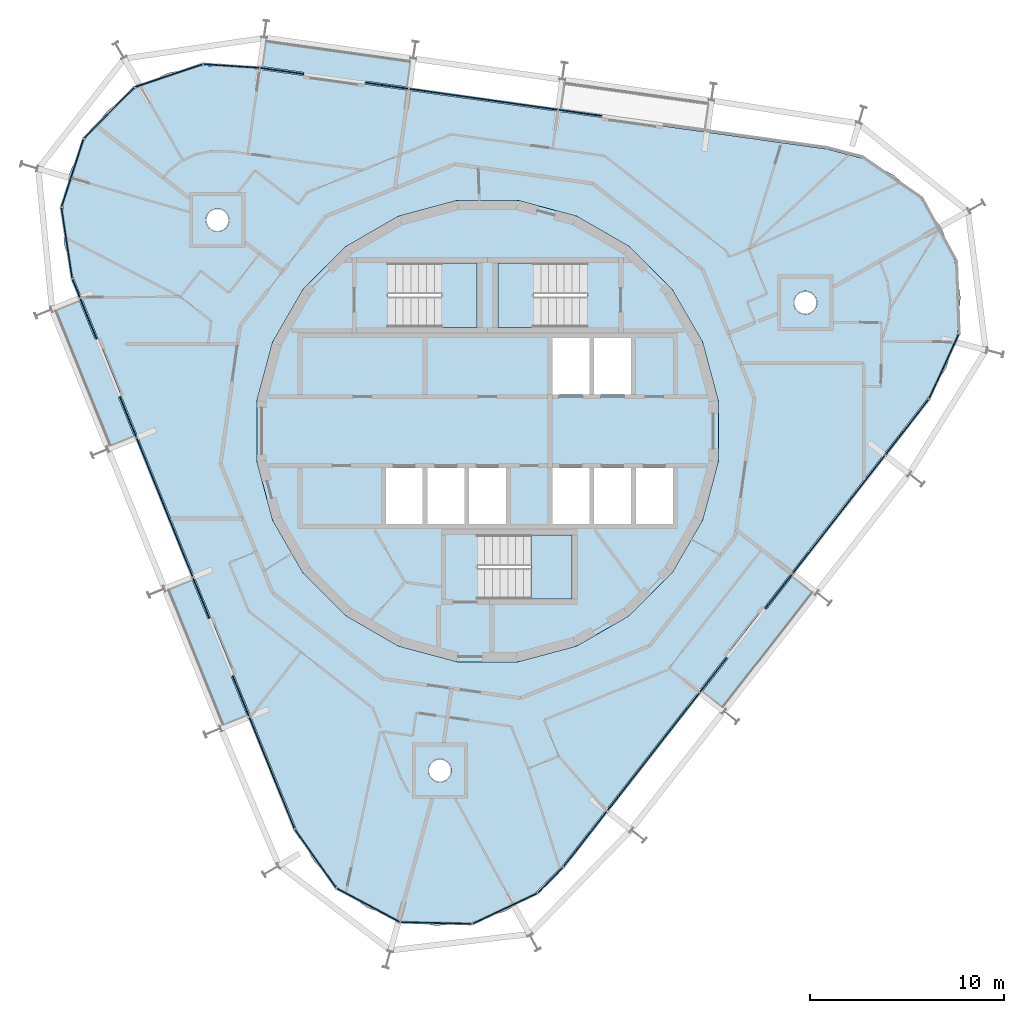
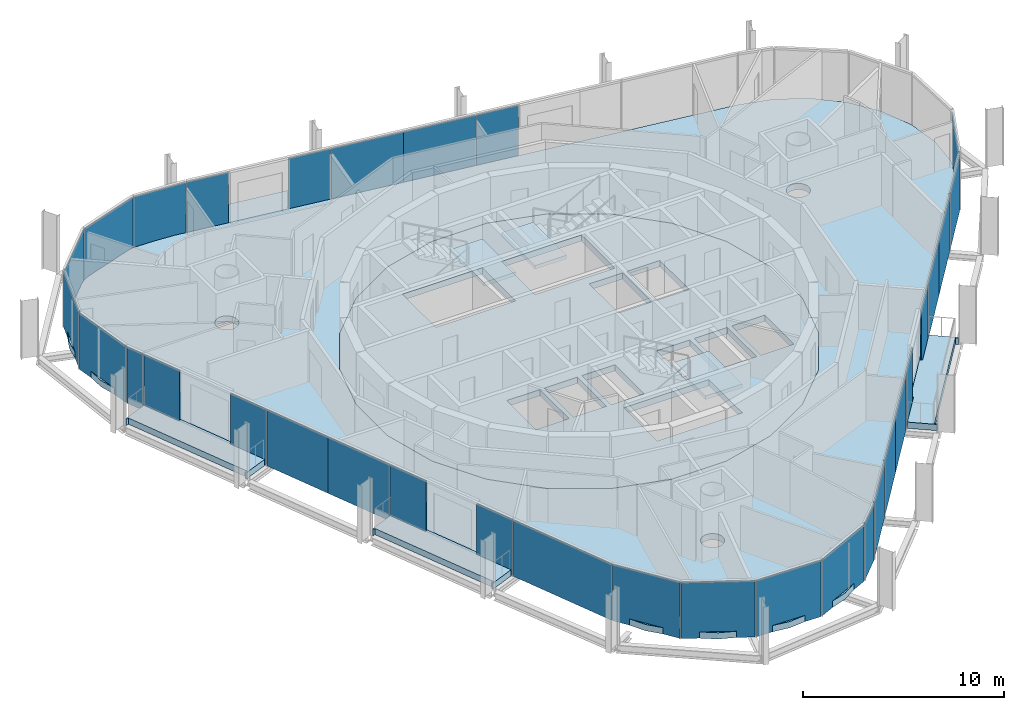
# One storey, part 8 of 15: 32 plates, 9 slabs, 9 elements without a shape of their own.
"""IFC4 building model written with IfcOpenShell, lengths in metres."""

from ifc_helpers import new_model, si_unit, direction, frame, origin, origin_2d, place, context, subcontext, project, spatial, polyline, rectangle, outline, extrude, material, layer, layer_set, type_object, element, aggregate, save


model = new_model("IFC4")

# Units and contexts
model_context = context("Model", 3, precision=1e-05, world=origin(), true_north=direction((0.0, 1.0)))
body_context = subcontext(model_context, "Body", "Model", "MODEL_VIEW")
ifc_project = project(units=[si_unit("LENGTHUNIT", "METRE"), si_unit("AREAUNIT", "SQUARE_METRE"), si_unit("VOLUMEUNIT", "CUBIC_METRE"), si_unit("PLANEANGLEUNIT", "RADIAN"), si_unit("MASSUNIT", "GRAM", prefix="KILO")], contexts=[model_context])

# Site, building, storey
site_placement = place(None, origin())
site = spatial("IfcSite", under=ifc_project, at=site_placement, CompositionType="ELEMENT")
building_placement = place(site_placement, origin())
building = spatial("IfcBuilding", under=site, at=building_placement, Name="Spindle Arch Residences", CompositionType="ELEMENT")
storey_placement = place(building_placement, frame((0.0, 0.0, 336.5)))
storey = spatial("IfcBuildingStorey", under=building, at=storey_placement, Name="L86", CompositionType="ELEMENT", Elevation=336.5)

# Slabs
ifc_material_1 = material(Name="Concrete C40/50", Category="concrete")
ifc_layer_1 = layer(ifc_material_1, 0.3798828125)
ifc_layer_set_1 = layer_set([ifc_layer_1], Name="Balcony slab 380")
slab_type_1 = type_object("IfcSlabType", Name="Balcony slab 380", PredefinedType="FLOOR", material=ifc_layer_set_1)
slab_1_placement = place(storey_placement, frame((0.0, 0.0, -0.3798828125)))
element("IfcSlab", 1, at=slab_1_placement, inside=storey, type_object=slab_type_1, Name="Balcony L86 bay 8", PredefinedType="FLOOR", context=body_context, shape_type="SweptSolid", body=[
    extrude(outline(polyline([(-3.909423828125, 19.219482421875), (-3.98388671875, 19.22998046875), (-4.004638671875, 19.08154296875), (-11.397705078125, 20.120361328125), (-11.376708984375, 20.26904296875), (-11.450927734375, 20.279541015625), (-11.658447265625, 18.803955078125), (-9.47216796875, 18.49658203125), (-9.494384765625, 18.338134765625), (-6.325439453125, 17.892822265625), (-6.30322265625, 18.05126953125), (-4.116943359375, 17.744140625), (-3.909423828125, 19.219482421875)])), origin(), (0.0, 0.0, 1.0), 0.3798828125),
])
slab_2_placement = place(storey_placement, frame((0.0, 0.0, -0.3798828125)))
element("IfcSlab", 2, at=slab_2_placement, inside=storey, type_object=slab_type_1, Name="Balcony L86 bay 12", PredefinedType="FLOOR", context=body_context, shape_type="SweptSolid", body=[
    extrude(outline(polyline([(-22.447265625, 6.204833984375), (-22.419189453125, 6.13525390625), (-22.280029296875, 6.19140625), (-19.4833984375, -0.73046875), (-19.62255859375, -0.78662109375), (-19.594482421875, -0.856201171875), (-18.212890625, -0.298095703125), (-19.0400390625, 1.7490234375), (-18.8916015625, 1.808837890625), (-20.09033203125, 4.77587890625), (-20.23876953125, 4.716064453125), (-21.06591796875, 6.762939453125), (-22.447265625, 6.204833984375)])), origin(), (0.0, 0.0, 1.0), 0.3798828125),
])
slab_3_placement = place(storey_placement, frame((0.0, 0.0, -0.3798828125)))
element("IfcSlab", 3, at=slab_3_placement, inside=storey, type_object=slab_type_1, Name="Balcony L86 bay 14", PredefinedType="FLOOR", context=body_context, shape_type="SweptSolid", body=[
    extrude(outline(polyline([(-16.629150390625, -8.195556640625), (-16.60107421875, -8.264892578125), (-16.462158203125, -8.208740234375), (-13.665283203125, -15.130859375), (-13.804443359375, -15.18701171875), (-13.7763671875, -15.256591796875), (-12.394775390625, -14.6982421875), (-13.221923828125, -12.6513671875), (-13.073486328125, -12.59130859375), (-14.272216796875, -9.624267578125), (-14.420654296875, -9.684326171875), (-15.247802734375, -7.63720703125), (-16.629150390625, -8.195556640625)])), origin(), (0.0, 0.0, 1.0), 0.3798828125),
])
slab_4_placement = place(storey_placement, frame((0.0, 0.0, -0.3798828125)))
element("IfcSlab", 4, at=slab_4_placement, inside=storey, type_object=slab_type_1, Name="Balcony L86 bay 20", PredefinedType="FLOOR", context=body_context, shape_type="SweptSolid", body=[
    extrude(outline(polyline([(12.224853515625, -14.38330078125), (12.27099609375, -14.323974609375), (12.15283203125, -14.231689453125), (16.7490234375, -8.348876953125), (16.8671875, -8.441162109375), (16.913330078125, -8.382080078125), (15.7392578125, -7.464599609375), (14.3798828125, -9.204345703125), (14.25390625, -9.10595703125), (12.28369140625, -11.627685546875), (12.409912109375, -11.72607421875), (11.050537109375, -13.4658203125), (12.224853515625, -14.38330078125)])), origin(), (0.0, 0.0, 1.0), 0.3798828125),
])
ifc_material_2 = material(Name="Concrete C50/60", Category="concrete")
ifc_layer_2 = layer(ifc_material_2, 0.3798828125)
ifc_layer_set_2 = layer_set([ifc_layer_2], Name="Core floor slab 380")
slab_type_2 = type_object("IfcSlabType", Name="Core floor slab 380", PredefinedType="FLOOR", material=ifc_layer_set_2)
slab_5_placement = place(storey_placement, frame((0.0, 0.0, -0.3798828125)))
element("IfcSlab", 5, at=slab_5_placement, inside=storey, type_object=slab_type_2, Name="Core floor L86", PredefinedType="FLOOR", context=body_context, shape_type="SweptSolid", body=[
    extrude(outline(polyline([(1.56640625, -11.897216796875), (4.59228515625, -11.086669921875), (7.30517578125, -9.520263671875), (9.520263671875, -7.30517578125), (11.086669921875, -4.59228515625), (11.897216796875, -1.56640625), (11.897216796875, 1.56640625), (11.086669921875, 4.59228515625), (9.520263671875, 7.30517578125), (7.30517578125, 9.520263671875), (4.59228515625, 11.086669921875), (1.56640625, 11.897216796875), (-1.56640625, 11.897216796875), (-4.59228515625, 11.086669921875), (-7.30517578125, 9.520263671875), (-9.520263671875, 7.30517578125), (-11.086669921875, 4.59228515625), (-11.897216796875, 1.56640625), (-11.897216796875, -1.56640625), (-11.086669921875, -4.59228515625), (-9.520263671875, -7.30517578125), (-7.30517578125, -9.520263671875), (-4.59228515625, -11.086669921875), (-1.56640625, -11.897216796875), (1.56640625, -11.897216796875)]), holes=[polyline([(3.35009765625, 1.89990234375), (5.25, 1.89990234375), (5.25, 4.800048828125), (3.35009765625, 4.800048828125), (3.35009765625, 1.89990234375)]), polyline([(5.5, 1.89990234375), (7.39990234375, 1.89990234375), (7.39990234375, 4.800048828125), (5.5, 4.800048828125), (5.5, 1.89990234375)]), polyline([(-5.25, -4.800048828125), (-3.35009765625, -4.800048828125), (-3.35009765625, -1.89990234375), (-5.25, -1.89990234375), (-5.25, -4.800048828125)]), polyline([(-3.10009765625, -4.800048828125), (-1.199951171875, -4.800048828125), (-1.199951171875, -1.89990234375), (-3.10009765625, -1.89990234375), (-3.10009765625, -4.800048828125)]), polyline([(-0.949951171875, -4.800048828125), (0.949951171875, -4.800048828125), (0.949951171875, -1.89990234375), (-0.949951171875, -1.89990234375), (-0.949951171875, -4.800048828125)]), polyline([(3.35009765625, -4.800048828125), (5.25, -4.800048828125), (5.25, -1.89990234375), (3.35009765625, -1.89990234375), (3.35009765625, -4.800048828125)]), polyline([(5.5, -4.800048828125), (7.39990234375, -4.800048828125), (7.39990234375, -1.89990234375), (5.5, -1.89990234375), (5.5, -4.800048828125)]), polyline([(7.64990234375, -4.800048828125), (9.550048828125, -4.800048828125), (9.550048828125, -1.89990234375), (7.64990234375, -1.89990234375), (7.64990234375, -4.800048828125)]), polyline([(5.1298828125, 8.669921875), (0.550048828125, 8.669921875), (0.550048828125, 5.35009765625), (5.1298828125, 5.35009765625), (5.1298828125, 8.669921875)]), polyline([(-5.1298828125, 5.35009765625), (-0.550048828125, 5.35009765625), (-0.550048828125, 8.669921875), (-5.1298828125, 8.669921875), (-5.1298828125, 5.35009765625)]), polyline([(-0.530029296875, -8.669921875), (4.35009765625, -8.669921875), (4.35009765625, -5.35009765625), (-0.530029296875, -5.35009765625), (-0.530029296875, -8.669921875)])]), origin(), (0.0, 0.0, 1.0), 0.3798828125),
])

# Stair, slab
ifc_material_3 = material(Name="Concrete C50/60", Category="concrete")
stair_type = type_object("IfcStairType", Name="Exit stair 16 risers", PredefinedType="HALF_TURN_STAIR", material=ifc_material_3)
stair_1_placement = place(storey_placement, origin())
stair_1 = element("IfcStair", 6, at=stair_1_placement, inside=storey, type_object=stair_type, Name="L86 Exit stair ST1", PredefinedType="HALF_TURN_STAIR")
ifc_material_4 = material(Name="Concrete C50/60", Category="concrete")
ifc_layer_3 = layer(ifc_material_4, 0.219970703125)
ifc_layer_set_3 = layer_set([ifc_layer_3], Name="Exit stair landing 220")
slab_type_3 = type_object("IfcSlabType", Name="Exit stair landing 220", PredefinedType="LANDING", material=ifc_layer_set_3)
slab_6_placement = place(storey_placement, frame((0.0, 0.0, 1.530029296875)))
slab_6 = element("IfcSlab", 7, at=slab_6_placement, type_object=slab_type_3, Name="ST1 landing 1", PredefinedType="LANDING", context=body_context, shape_type="SweptSolid", body=[
    extrude(outline(polyline([(2.3701171875, 8.669921875), (0.550048828125, 8.669921875), (0.550048828125, 5.35009765625), (2.3701171875, 5.35009765625), (2.3701171875, 8.669921875)])), origin(), (0.0, 0.0, 1.0), 0.219970703125),
])
aggregate(stair_1, [slab_6])

stair_2_placement = place(storey_placement, origin())
stair_2 = element("IfcStair", 8, at=stair_2_placement, inside=storey, type_object=stair_type, Name="L86 Exit stair ST2", PredefinedType="HALF_TURN_STAIR")
slab_7_placement = place(storey_placement, frame((0.0, 0.0, 1.530029296875)))
slab_7 = element("IfcSlab", 9, at=slab_7_placement, type_object=slab_type_3, Name="ST2 landing 1", PredefinedType="LANDING", context=body_context, shape_type="SweptSolid", body=[
    extrude(outline(polyline([(-2.3701171875, 5.35009765625), (-0.550048828125, 5.35009765625), (-0.550048828125, 8.669921875), (-2.3701171875, 8.669921875), (-2.3701171875, 5.35009765625)])), origin(), (0.0, 0.0, 1.0), 0.219970703125),
])
aggregate(stair_2, [slab_7])

stair_3_placement = place(storey_placement, origin())
stair_3 = element("IfcStair", 10, at=stair_3_placement, inside=storey, type_object=stair_type, Name="L86 Exit stair ST3", PredefinedType="HALF_TURN_STAIR")
slab_8_placement = place(storey_placement, frame((0.0, 0.0, 1.530029296875)))
slab_8 = element("IfcSlab", 11, at=slab_8_placement, type_object=slab_type_3, Name="ST3 landing 1", PredefinedType="LANDING", context=body_context, shape_type="SweptSolid", body=[
    extrude(outline(polyline([(2.22998046875, -8.669921875), (4.35009765625, -8.669921875), (4.35009765625, -5.35009765625), (2.22998046875, -5.35009765625), (2.22998046875, -8.669921875)])), origin(), (0.0, 0.0, 1.0), 0.219970703125),
])
aggregate(stair_3, [slab_8])

# Slab
ifc_material_5 = material(Name="Concrete C40/50", Category="concrete")
ifc_layer_4 = layer(ifc_material_5, 0.3798828125)
ifc_layer_set_4 = layer_set([ifc_layer_4], Name="Floor slab 380")
slab_type_4 = type_object("IfcSlabType", Name="Floor slab 380", PredefinedType="FLOOR", material=ifc_layer_set_4)
slab_9_placement = place(storey_placement, frame((0.0, 0.0, -0.3798828125)))
element("IfcSlab", 12, at=slab_9_placement, inside=storey, type_object=slab_type_4, Name="Floor slab L86", PredefinedType="FLOOR", context=body_context, shape_type="SweptSolid", body=[
    extrude(outline(polyline([(2.5380859375, -23.751220703125), (0.962890625, -24.735595703125), (-0.796875, -25.330078125), (-2.646240234375, -25.502685546875), (-4.485595703125, -25.244140625), (-6.2158203125, -24.568359375), (-7.74365234375, -23.511962890625), (-8.986572265625, -22.131591796875), (-9.877685546875, -20.501708984375), (-21.346923828125, 7.885986328125), (-21.838134765625, 9.677490234375), (-21.903076171875, 11.53369140625), (-21.5380859375, 13.35498046875), (-20.7626953125, 15.043212890625), (-19.619140625, 16.5068359375), (-18.1689453125, 17.667236328125), (-16.489990234375, 18.462158203125), (-14.673095703125, 18.848388671875), (-12.816162109375, 18.80517578125), (17.503173828125, 14.5439453125), (19.300048828125, 14.07373046875), (20.940185546875, 13.20166015625), (22.334716796875, 11.974853515625), (23.4091796875, 10.459716796875), (24.10498046875, 8.7373046875), (24.384765625, 6.901123046875), (24.233642578125, 5.0498046875), (23.65966796875, 3.283203125), (22.69384765625, 1.696533203125), (13.268798828125, -10.36669921875), (3.843994140625, -22.43017578125), (2.5380859375, -23.751220703125)]), holes=[polyline([(7.30517578125, -9.520263671875), (9.520263671875, -7.30517578125), (11.086669921875, -4.59228515625), (11.897216796875, -1.56640625), (11.897216796875, 1.56640625), (11.086669921875, 4.59228515625), (9.520263671875, 7.30517578125), (7.30517578125, 9.520263671875), (4.59228515625, 11.086669921875), (1.56640625, 11.897216796875), (-1.56640625, 11.897216796875), (-4.59228515625, 11.086669921875), (-7.30517578125, 9.520263671875), (-9.520263671875, 7.30517578125), (-11.086669921875, 4.59228515625), (-11.897216796875, 1.56640625), (-11.897216796875, -1.56640625), (-11.086669921875, -4.59228515625), (-9.520263671875, -7.30517578125), (-7.30517578125, -9.520263671875), (-4.59228515625, -11.086669921875), (-1.56640625, -11.897216796875), (1.56640625, -11.897216796875), (4.59228515625, -11.086669921875), (7.30517578125, -9.520263671875)]), polyline([(-1.961181640625, -17.838134765625), (-1.90576171875, -17.734375), (-1.87158203125, -17.621826171875), (-1.860107421875, -17.5048828125), (-1.87158203125, -17.3876953125), (-1.90576171875, -17.275146484375), (-1.961181640625, -17.17138671875), (-2.035888671875, -17.08056640625), (-2.126708984375, -17.005859375), (-2.23046875, -16.950439453125), (-2.343017578125, -16.916259765625), (-2.460205078125, -16.90478515625), (-2.5771484375, -16.916259765625), (-2.689697265625, -16.950439453125), (-2.79345703125, -17.005859375), (-2.884521484375, -17.08056640625), (-2.958984375, -17.17138671875), (-3.014404296875, -17.275146484375), (-3.048583984375, -17.3876953125), (-3.06005859375, -17.5048828125), (-3.048583984375, -17.621826171875), (-3.014404296875, -17.734375), (-2.958984375, -17.838134765625), (-2.884521484375, -17.92919921875), (-2.79345703125, -18.003662109375), (-2.689697265625, -18.05908203125), (-2.5771484375, -18.09326171875), (-2.460205078125, -18.104736328125), (-2.343017578125, -18.09326171875), (-2.23046875, -18.05908203125), (-2.126708984375, -18.003662109375), (-2.035888671875, -17.92919921875), (-1.961181640625, -17.838134765625)]), polyline([(-13.505126953125, 10.458740234375), (-13.4306640625, 10.5498046875), (-13.375244140625, 10.6533203125), (-13.341064453125, 10.765869140625), (-13.32958984375, 10.883056640625), (-13.341064453125, 11.0), (-13.375244140625, 11.112548828125), (-13.4306640625, 11.21630859375), (-13.505126953125, 11.307373046875), (-13.59619140625, 11.3818359375), (-13.699951171875, 11.437255859375), (-13.8125, 11.471435546875), (-13.929443359375, 11.48291015625), (-14.046630859375, 11.471435546875), (-14.1591796875, 11.437255859375), (-14.2626953125, 11.3818359375), (-14.353759765625, 11.307373046875), (-14.428466796875, 11.21630859375), (-14.48388671875, 11.112548828125), (-14.51806640625, 11.0), (-14.529541015625, 10.883056640625), (-14.51806640625, 10.765869140625), (-14.48388671875, 10.6533203125), (-14.428466796875, 10.5498046875), (-14.353759765625, 10.458740234375), (-14.2626953125, 10.384033203125), (-14.1591796875, 10.32861328125), (-14.046630859375, 10.29443359375), (-13.929443359375, 10.282958984375), (-13.8125, 10.29443359375), (-13.699951171875, 10.32861328125), (-13.59619140625, 10.384033203125), (-13.505126953125, 10.458740234375)]), polyline([(16.81396484375, 6.197509765625), (16.888671875, 6.28857421875), (16.944091796875, 6.392333984375), (16.978271484375, 6.5048828125), (16.98974609375, 6.621826171875), (16.978271484375, 6.739013671875), (16.944091796875, 6.8515625), (16.888671875, 6.955078125), (16.81396484375, 7.046142578125), (16.722900390625, 7.120849609375), (16.619384765625, 7.17626953125), (16.5068359375, 7.21044921875), (16.3896484375, 7.221923828125), (16.272705078125, 7.21044921875), (16.16015625, 7.17626953125), (16.056396484375, 7.120849609375), (15.96533203125, 7.046142578125), (15.890869140625, 6.955078125), (15.83544921875, 6.8515625), (15.80126953125, 6.739013671875), (15.789794921875, 6.621826171875), (15.80126953125, 6.5048828125), (15.83544921875, 6.392333984375), (15.890869140625, 6.28857421875), (15.96533203125, 6.197509765625), (16.056396484375, 6.123046875), (16.16015625, 6.067626953125), (16.272705078125, 6.033447265625), (16.3896484375, 6.02197265625), (16.5068359375, 6.033447265625), (16.619384765625, 6.067626953125), (16.722900390625, 6.123046875), (16.81396484375, 6.197509765625)])]), origin(), (0.0, 0.0, 1.0), 0.3798828125),
])

# Curtain wall, plates
ifc_material_6 = material(Name="Aluminium bronze unitised frame with tinted glass", Category="aluminium")
ifc_layer_5 = layer(ifc_material_6, 0.159912109375)
ifc_layer_set_5 = layer_set([ifc_layer_5], Name="CW-D corner wall on the fillet arcs")
curtain_wall_type_1 = type_object("IfcCurtainWallType", Name="CW-D corner wall on the fillet arcs", PredefinedType="NOTDEFINED", material=ifc_layer_set_5)
curtain_wall_1_placement = place(storey_placement, origin())
curtain_wall_1 = element("IfcCurtainWall", 13, at=curtain_wall_1_placement, inside=storey, type_object=curtain_wall_type_1, Name="CW-D L86 run 1", PredefinedType="NOTDEFINED")
ifc_material_7 = material(Name="Tinted double glazing over aluminium faced non-combustible spandrel zone (K0)", Category="aluminium")
ifc_layer_6 = layer(ifc_material_7, 0.06005859375)
ifc_layer_set_6 = layer_set([ifc_layer_6], Name="Unitised glass panel with E 60 spandrel zone")
plate_type = type_object("IfcPlateType", Name="Unitised glass panel with E 60 spandrel zone", PredefinedType="CURTAIN_PANEL", material=ifc_layer_set_6)
plate_1_placement = place(storey_placement, frame((21.630126953125, 0.205078125, -0.3798828125), z_axis=(0.0, 0.0, 1.0), x_axis=(0.615661475326, 0.788010753607, 0.0)))
plate_1 = element("IfcPlate", 14, at=plate_1_placement, type_object=plate_type, Name="CW-D unit 00", PredefinedType="CURTAIN_PANEL", context=body_context, shape_type="SweptSolid", body=[
    extrude(rectangle(XDim=3.60009765625, YDim=0.06005859375, at=origin_2d()), origin(), (0.0, 0.0, 1.0), 3.3798828125),
])
plate_2_placement = place(storey_placement, frame((23.534423828125, 3.340576171875, -0.3798828125), z_axis=(0.0, 0.0, 1.0), x_axis=(0.417338452362, 0.908751129947, 0.0)))
plate_2 = element("IfcPlate", 15, at=plate_2_placement, type_object=plate_type, Name="CW-D unit 01", PredefinedType="CURTAIN_PANEL", context=body_context, shape_type="SweptSolid", body=[
    extrude(rectangle(XDim=3.666748046875, YDim=0.06005859375, at=origin_2d()), origin(), (0.0, 0.0, 1.0), 3.3798828125),
])
aggregate(curtain_wall_1, [plate_1, plate_2])

ifc_material_8 = material(Name="Aluminium bronze unitised frame with tinted glass", Category="aluminium")
ifc_layer_7 = layer(ifc_material_8, 0.159912109375)
ifc_layer_set_7 = layer_set([ifc_layer_7], Name="CW-C typical residential unitised wall")
curtain_wall_type_2 = type_object("IfcCurtainWallType", Name="CW-C typical residential unitised wall", PredefinedType="NOTDEFINED", material=ifc_layer_set_7)
curtain_wall_2_placement = place(storey_placement, origin())
curtain_wall_2 = element("IfcCurtainWall", 16, at=curtain_wall_2_placement, inside=storey, type_object=curtain_wall_type_2, Name="CW-C L86 run 2", PredefinedType="NOTDEFINED")
plate_3_placement = place(storey_placement, frame((4.781494140625, 16.41259765625, -0.3798828125), z_axis=(0.0, 0.0, 1.0), x_axis=(-0.990268068742, 0.13917310096, 0.0)))
plate_3 = element("IfcPlate", 17, at=plate_3_placement, type_object=plate_type, Name="CW-C unit 05R", PredefinedType="CURTAIN_PANEL", context=body_context, shape_type="SweptSolid", body=[
    extrude(rectangle(XDim=2.252685546875, YDim=0.06005859375, at=origin_2d()), origin(), (0.0, 0.0, 1.0), 3.3798828125),
])
plate_4_placement = place(storey_placement, frame((1.698974609375, 16.845947265625, -0.3798828125), z_axis=(0.0, 0.0, 1.0), x_axis=(-0.990268068742, 0.13917310096, 0.0)))
plate_4 = element("IfcPlate", 18, at=plate_4_placement, type_object=plate_type, Name="CW-C unit 06A", PredefinedType="CURTAIN_PANEL", context=body_context, shape_type="SweptSolid", body=[
    extrude(rectangle(XDim=3.852783203125, YDim=0.06005859375, at=origin_2d()), origin(), (0.0, 0.0, 1.0), 3.3798828125),
])
plate_5_placement = place(storey_placement, frame((-2.116455078125, 17.382080078125, -0.3798828125), z_axis=(0.0, 0.0, 1.0), x_axis=(-0.990268068742, 0.13917310096, 0.0)))
plate_5 = element("IfcPlate", 19, at=plate_5_placement, type_object=plate_type, Name="CW-C unit 06B", PredefinedType="CURTAIN_PANEL", context=body_context, shape_type="SweptSolid", body=[
    extrude(rectangle(XDim=3.852783203125, YDim=0.06005859375, at=origin_2d()), origin(), (0.0, 0.0, 1.0), 3.3798828125),
])
plate_6_placement = place(storey_placement, frame((-5.198974609375, 17.8154296875, -0.3798828125), z_axis=(0.0, 0.0, 1.0), x_axis=(-0.990268068742, 0.13917310096, 0.0)))
plate_6 = element("IfcPlate", 20, at=plate_6_placement, type_object=plate_type, Name="CW-C unit 07L", PredefinedType="CURTAIN_PANEL", context=body_context, shape_type="SweptSolid", body=[
    extrude(rectangle(XDim=2.252685546875, YDim=0.06005859375, at=origin_2d()), origin(), (0.0, 0.0, 1.0), 3.3798828125),
])
plate_7_placement = place(storey_placement, frame((-10.5986328125, 18.57421875, -0.3798828125), z_axis=(0.0, 0.0, 1.0), x_axis=(-0.990268068742, 0.13917310096, 0.0)))
plate_7 = element("IfcPlate", 21, at=plate_7_placement, type_object=plate_type, Name="CW-C unit 07R", PredefinedType="CURTAIN_PANEL", context=body_context, shape_type="SweptSolid", body=[
    extrude(rectangle(XDim=2.252685546875, YDim=0.06005859375, at=origin_2d()), origin(), (0.0, 0.0, 1.0), 3.3798828125),
])
aggregate(curtain_wall_2, [plate_3, plate_4, plate_5, plate_6, plate_7])

curtain_wall_3_placement = place(storey_placement, origin())
curtain_wall_3 = element("IfcCurtainWall", 22, at=curtain_wall_3_placement, inside=storey, type_object=curtain_wall_type_1, Name="CW-D L86 run 3", PredefinedType="NOTDEFINED")
plate_8_placement = place(storey_placement, frame((-13.212158203125, 18.83154296875, -0.3798828125), z_axis=(0.0, 0.0, 1.0), x_axis=(-0.99785193122, 0.065509719587, 0.0)))
plate_8 = element("IfcPlate", 23, at=plate_8_placement, type_object=plate_type, Name="CW-D unit 00", PredefinedType="CURTAIN_PANEL", context=body_context, shape_type="SweptSolid", body=[
    extrude(rectangle(XDim=2.883056640625, YDim=0.06005859375, at=origin_2d()), origin(), (0.0, 0.0, 1.0), 3.3798828125),
])
plate_9_placement = place(storey_placement, frame((-16.446044921875, 18.33154296875, -0.3798828125), z_axis=(0.0, 0.0, 1.0), x_axis=(-0.947396640541, -0.320061877599, 0.0)))
plate_9 = element("IfcPlate", 24, at=plate_9_placement, type_object=plate_type, Name="CW-D unit 01", PredefinedType="CURTAIN_PANEL", context=body_context, shape_type="SweptSolid", body=[
    extrude(rectangle(XDim=3.666748046875, YDim=0.06005859375, at=origin_2d()), origin(), (0.0, 0.0, 1.0), 3.3798828125),
])
plate_10_placement = place(storey_placement, frame((-19.521240234375, 16.409912109375, -0.3798828125), z_axis=(0.0, 0.0, 1.0), x_axis=(-0.702981055369, -0.711208574043, 0.0)))
plate_10 = element("IfcPlate", 25, at=plate_10_placement, type_object=plate_type, Name="CW-D unit 02", PredefinedType="CURTAIN_PANEL", context=body_context, shape_type="SweptSolid", body=[
    extrude(rectangle(XDim=3.666748046875, YDim=0.06005859375, at=origin_2d()), origin(), (0.0, 0.0, 1.0), 3.3798828125),
])
plate_11_placement = place(storey_placement, frame((-21.406982421875, 13.3125, -0.3798828125), z_axis=(0.0, 0.0, 1.0), x_axis=(-0.309016990673, -0.951056517498, 0.0)))
plate_11 = element("IfcPlate", 26, at=plate_11_placement, type_object=plate_type, Name="CW-D unit 03", PredefinedType="CURTAIN_PANEL", context=body_context, shape_type="SweptSolid", body=[
    extrude(rectangle(XDim=3.666748046875, YDim=0.06005859375, at=origin_2d()), origin(), (0.0, 0.0, 1.0), 3.3798828125),
])
plate_12_placement = place(storey_placement, frame((-21.701904296875, 9.6982421875, -0.3798828125), z_axis=(0.0, 0.0, 1.0), x_axis=(0.150685718984, -0.988581718471, 0.0)))
plate_12 = element("IfcPlate", 27, at=plate_12_placement, type_object=plate_type, Name="CW-D unit 04", PredefinedType="CURTAIN_PANEL", context=body_context, shape_type="SweptSolid", body=[
    extrude(rectangle(XDim=3.666748046875, YDim=0.06005859375, at=origin_2d()), origin(), (0.0, 0.0, 1.0), 3.3798828125),
])
plate_13_placement = place(storey_placement, frame((-21.220458984375, 7.359375, -0.3798828125), z_axis=(0.0, 0.0, 1.0), x_axis=(0.374606593416, -0.927183854567, 0.0)))
plate_13 = element("IfcPlate", 28, at=plate_13_placement, type_object=plate_type, Name="CW-D unit 05", PredefinedType="CURTAIN_PANEL", context=body_context, shape_type="SweptSolid", body=[
    extrude(rectangle(XDim=1.01171875, YDim=0.06005859375, at=origin_2d()), origin(), (0.0, 0.0, 1.0), 3.3798828125),
])
aggregate(curtain_wall_3, [plate_8, plate_9, plate_10, plate_11, plate_12, plate_13])

curtain_wall_4_placement = place(storey_placement, origin())
curtain_wall_4 = element("IfcCurtainWall", 29, at=curtain_wall_4_placement, inside=storey, type_object=curtain_wall_type_2, Name="CW-C L86 run 4", PredefinedType="NOTDEFINED")
plate_14_placement = place(storey_placement, frame((-20.58642578125, 5.790283203125, -0.3798828125), z_axis=(0.0, 0.0, 1.0), x_axis=(0.374606593416, -0.927183854567, 0.0)))
plate_14 = element("IfcPlate", 30, at=plate_14_placement, type_object=plate_type, Name="CW-C unit 11L", PredefinedType="CURTAIN_PANEL", context=body_context, shape_type="SweptSolid", body=[
    extrude(rectangle(XDim=2.252685546875, YDim=0.06005859375, at=origin_2d()), origin(), (0.0, 0.0, 1.0), 3.3798828125),
])
plate_15_placement = place(storey_placement, frame((-18.5439453125, 0.734619140625, -0.3798828125), z_axis=(0.0, 0.0, 1.0), x_axis=(0.374606593416, -0.927183854567, 0.0)))
plate_15 = element("IfcPlate", 31, at=plate_15_placement, type_object=plate_type, Name="CW-C unit 11R", PredefinedType="CURTAIN_PANEL", context=body_context, shape_type="SweptSolid", body=[
    extrude(rectangle(XDim=2.252685546875, YDim=0.06005859375, at=origin_2d()), origin(), (0.0, 0.0, 1.0), 3.3798828125),
])
plate_16_placement = place(storey_placement, frame((-17.377685546875, -2.151611328125, -0.3798828125), z_axis=(0.0, 0.0, 1.0), x_axis=(0.374606593416, -0.927183854567, 0.0)))
plate_16 = element("IfcPlate", 32, at=plate_16_placement, type_object=plate_type, Name="CW-C unit 12A", PredefinedType="CURTAIN_PANEL", context=body_context, shape_type="SweptSolid", body=[
    extrude(rectangle(XDim=3.852783203125, YDim=0.06005859375, at=origin_2d()), origin(), (0.0, 0.0, 1.0), 3.3798828125),
])
plate_17_placement = place(storey_placement, frame((-15.9345703125, -5.723876953125, -0.3798828125), z_axis=(0.0, 0.0, 1.0), x_axis=(0.374606593416, -0.927183854567, 0.0)))
plate_17 = element("IfcPlate", 33, at=plate_17_placement, type_object=plate_type, Name="CW-C unit 12B", PredefinedType="CURTAIN_PANEL", context=body_context, shape_type="SweptSolid", body=[
    extrude(rectangle(XDim=3.852783203125, YDim=0.06005859375, at=origin_2d()), origin(), (0.0, 0.0, 1.0), 3.3798828125),
])
plate_18_placement = place(storey_placement, frame((-14.7685546875, -8.60986328125, -0.3798828125), z_axis=(0.0, 0.0, 1.0), x_axis=(0.374606593416, -0.927183854567, 0.0)))
plate_18 = element("IfcPlate", 34, at=plate_18_placement, type_object=plate_type, Name="CW-C unit 13L", PredefinedType="CURTAIN_PANEL", context=body_context, shape_type="SweptSolid", body=[
    extrude(rectangle(XDim=2.252685546875, YDim=0.06005859375, at=origin_2d()), origin(), (0.0, 0.0, 1.0), 3.3798828125),
])
plate_19_placement = place(storey_placement, frame((-12.725830078125, -13.665771484375, -0.3798828125), z_axis=(0.0, 0.0, 1.0), x_axis=(0.374606593416, -0.927183854567, 0.0)))
plate_19 = element("IfcPlate", 35, at=plate_19_placement, type_object=plate_type, Name="CW-C unit 13R", PredefinedType="CURTAIN_PANEL", context=body_context, shape_type="SweptSolid", body=[
    extrude(rectangle(XDim=2.252685546875, YDim=0.06005859375, at=origin_2d()), origin(), (0.0, 0.0, 1.0), 3.3798828125),
])
aggregate(curtain_wall_4, [plate_14, plate_15, plate_16, plate_17, plate_18, plate_19])

curtain_wall_5_placement = place(storey_placement, origin())
curtain_wall_5 = element("IfcCurtainWall", 36, at=curtain_wall_5_placement, inside=storey, type_object=curtain_wall_type_1, Name="CW-D L86 run 5", PredefinedType="NOTDEFINED")
plate_20_placement = place(storey_placement, frame((-11.122314453125, -17.634765625, -0.3798828125), z_axis=(0.0, 0.0, 1.0), x_axis=(0.374606593416, -0.927183854567, 0.0)))
plate_20 = element("IfcPlate", 37, at=plate_20_placement, type_object=plate_type, Name="CW-D unit 00", PredefinedType="CURTAIN_PANEL", context=body_context, shape_type="SweptSolid", body=[
    extrude(rectangle(XDim=6.188720703125, YDim=0.06005859375, at=origin_2d()), origin(), (0.0, 0.0, 1.0), 3.3798828125),
])
plate_21_placement = place(storey_placement, frame((-8.8740234375, -22.0517578125, -0.3798828125), z_axis=(0.0, 0.0, 1.0), x_axis=(0.578332338584, -0.815801266332, 0.0)))
plate_21 = element("IfcPlate", 38, at=plate_21_placement, type_object=plate_type, Name="CW-D unit 01", PredefinedType="CURTAIN_PANEL", context=body_context, shape_type="SweptSolid", body=[
    extrude(rectangle(XDim=3.666748046875, YDim=0.06005859375, at=origin_2d()), origin(), (0.0, 0.0, 1.0), 3.3798828125),
])
plate_22_placement = place(storey_placement, frame((-6.151123046875, -24.44677734375, -0.3798828125), z_axis=(0.0, 0.0, 1.0), x_axis=(0.882947592408, -0.469471563633, 0.0)))
plate_22 = element("IfcPlate", 39, at=plate_22_placement, type_object=plate_type, Name="CW-D unit 02", PredefinedType="CURTAIN_PANEL", context=body_context, shape_type="SweptSolid", body=[
    extrude(rectangle(XDim=3.666748046875, YDim=0.06005859375, at=origin_2d()), origin(), (0.0, 0.0, 1.0), 3.3798828125),
])
plate_23_placement = place(storey_placement, frame((-2.64306640625, -25.364990234375, -0.3798828125), z_axis=(0.0, 0.0, 1.0), x_axis=(0.999729241109, -0.023268959422, 0.0)))
plate_23 = element("IfcPlate", 40, at=plate_23_placement, type_object=plate_type, Name="CW-D unit 03", PredefinedType="CURTAIN_PANEL", context=body_context, shape_type="SweptSolid", body=[
    extrude(rectangle(XDim=3.666748046875, YDim=0.06005859375, at=origin_2d()), origin(), (0.0, 0.0, 1.0), 3.3798828125),
])
plate_24_placement = place(storey_placement, frame((0.904052734375, -24.61083984375, -0.3798828125), z_axis=(0.0, 0.0, 1.0), x_axis=(0.903833768547, 0.427883767902, 0.0)))
plate_24 = element("IfcPlate", 41, at=plate_24_placement, type_object=plate_type, Name="CW-D unit 04", PredefinedType="CURTAIN_PANEL", context=body_context, shape_type="SweptSolid", body=[
    extrude(rectangle(XDim=3.666748046875, YDim=0.06005859375, at=origin_2d()), origin(), (0.0, 0.0, 1.0), 3.3798828125),
])
plate_25_placement = place(storey_placement, frame((3.24755859375, -23.146484375, -0.3798828125), z_axis=(0.0, 0.0, 1.0), x_axis=(0.702981053644, 0.711208575748, 0.0)))
plate_25 = element("IfcPlate", 42, at=plate_25_placement, type_object=plate_type, Name="CW-D unit 05", PredefinedType="CURTAIN_PANEL", context=body_context, shape_type="SweptSolid", body=[
    extrude(rectangle(XDim=1.816162109375, YDim=0.06005859375, at=origin_2d()), origin(), (0.0, 0.0, 1.0), 3.3798828125),
])
plate_26_placement = place(storey_placement, frame((5.03369140625, -21.037109375, -0.3798828125), z_axis=(0.0, 0.0, 1.0), x_axis=(0.615661475326, 0.788010753607, 0.0)))
plate_26 = element("IfcPlate", 43, at=plate_26_placement, type_object=plate_type, Name="CW-D unit 06", PredefinedType="CURTAIN_PANEL", context=body_context, shape_type="SweptSolid", body=[
    extrude(rectangle(XDim=3.60009765625, YDim=0.06005859375, at=origin_2d()), origin(), (0.0, 0.0, 1.0), 3.3798828125),
])
aggregate(curtain_wall_5, [plate_20, plate_21, plate_22, plate_23, plate_24, plate_25, plate_26])

curtain_wall_6_placement = place(storey_placement, origin())
curtain_wall_6 = element("IfcCurtainWall", 44, at=curtain_wall_6_placement, inside=storey, type_object=curtain_wall_type_2, Name="CW-C L86 run 6", PredefinedType="NOTDEFINED")
plate_27_placement = place(storey_placement, frame((7.364990234375, -18.053466796875, -0.3798828125), z_axis=(0.0, 0.0, 1.0), x_axis=(0.615661475326, 0.788010753607, 0.0)))
plate_27 = element("IfcPlate", 45, at=plate_27_placement, type_object=plate_type, Name="CW-C unit 18A", PredefinedType="CURTAIN_PANEL", context=body_context, shape_type="SweptSolid", body=[
    extrude(rectangle(XDim=3.852783203125, YDim=0.06005859375, at=origin_2d()), origin(), (0.0, 0.0, 1.0), 3.3798828125),
])
plate_28_placement = place(storey_placement, frame((9.73681640625, -15.017333984375, -0.3798828125), z_axis=(0.0, 0.0, 1.0), x_axis=(0.615661475326, 0.788010753607, 0.0)))
plate_28 = element("IfcPlate", 46, at=plate_28_placement, type_object=plate_type, Name="CW-C unit 18B", PredefinedType="CURTAIN_PANEL", context=body_context, shape_type="SweptSolid", body=[
    extrude(rectangle(XDim=3.852783203125, YDim=0.06005859375, at=origin_2d()), origin(), (0.0, 0.0, 1.0), 3.3798828125),
])
plate_29_placement = place(storey_placement, frame((11.6533203125, -12.564453125, -0.3798828125), z_axis=(0.0, 0.0, 1.0), x_axis=(0.615661475326, 0.788010753607, 0.0)))
plate_29 = element("IfcPlate", 47, at=plate_29_placement, type_object=plate_type, Name="CW-C unit 19L", PredefinedType="CURTAIN_PANEL", context=body_context, shape_type="SweptSolid", body=[
    extrude(rectangle(XDim=2.252685546875, YDim=0.06005859375, at=origin_2d()), origin(), (0.0, 0.0, 1.0), 3.3798828125),
])
plate_30_placement = place(storey_placement, frame((15.010498046875, -8.267578125, -0.3798828125), z_axis=(0.0, 0.0, 1.0), x_axis=(0.615661475326, 0.788010753607, 0.0)))
plate_30 = element("IfcPlate", 48, at=plate_30_placement, type_object=plate_type, Name="CW-C unit 19R", PredefinedType="CURTAIN_PANEL", context=body_context, shape_type="SweptSolid", body=[
    extrude(rectangle(XDim=2.252685546875, YDim=0.06005859375, at=origin_2d()), origin(), (0.0, 0.0, 1.0), 3.3798828125),
])
plate_31_placement = place(storey_placement, frame((16.9267578125, -5.814697265625, -0.3798828125), z_axis=(0.0, 0.0, 1.0), x_axis=(0.615661475326, 0.788010753607, 0.0)))
plate_31 = element("IfcPlate", 49, at=plate_31_placement, type_object=plate_type, Name="CW-C unit 00A", PredefinedType="CURTAIN_PANEL", context=body_context, shape_type="SweptSolid", body=[
    extrude(rectangle(XDim=3.852783203125, YDim=0.06005859375, at=origin_2d()), origin(), (0.0, 0.0, 1.0), 3.3798828125),
])
plate_32_placement = place(storey_placement, frame((19.298828125, -2.778564453125, -0.3798828125), z_axis=(0.0, 0.0, 1.0), x_axis=(0.615661475326, 0.788010753607, 0.0)))
plate_32 = element("IfcPlate", 50, at=plate_32_placement, type_object=plate_type, Name="CW-C unit 00B", PredefinedType="CURTAIN_PANEL", context=body_context, shape_type="SweptSolid", body=[
    extrude(rectangle(XDim=3.852783203125, YDim=0.06005859375, at=origin_2d()), origin(), (0.0, 0.0, 1.0), 3.3798828125),
])
aggregate(curtain_wall_6, [plate_27, plate_28, plate_29, plate_30, plate_31, plate_32])

save(model, "model.ifc")
